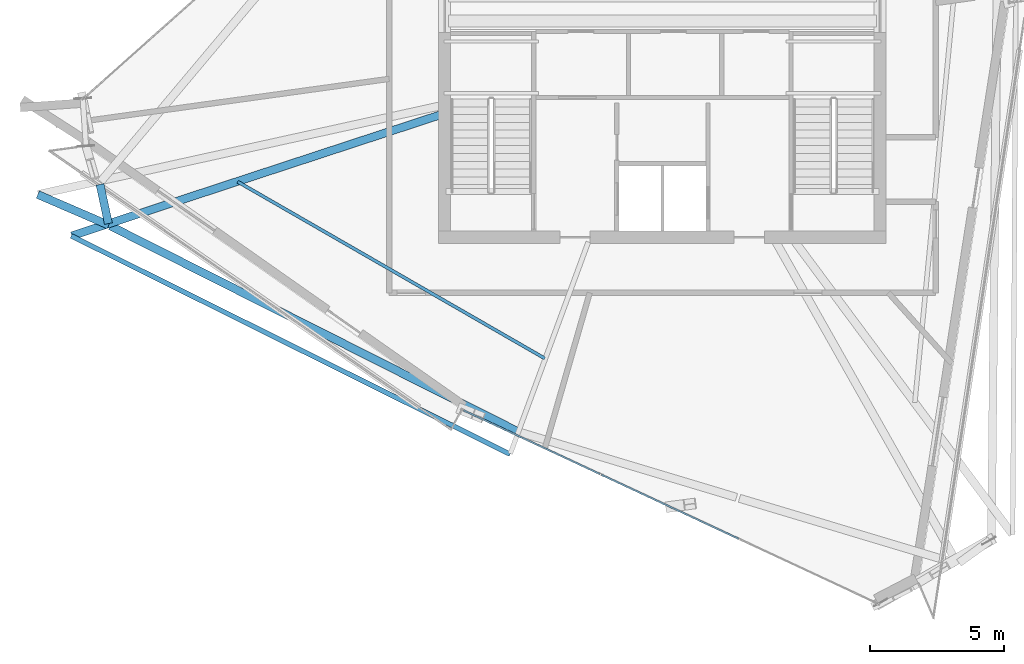
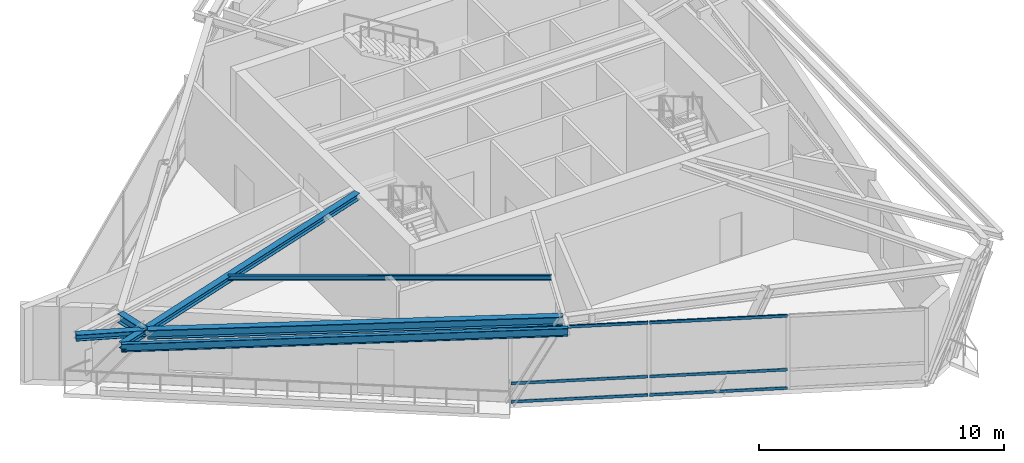
# One storey, part 3 of 22: 6 beams, 6 members, 1 element without a shape of its own.
"""IFC4 building model written with IfcOpenShell, lengths in metres."""

from ifc_helpers import new_model, si_unit, direction, frame, origin, origin_2d, place, context, subcontext, project, spatial, hollow_rectangle, i_section, extrude, source, transform, mapped, material, material_profile, profile_set, type_object, element, aggregate, save


model = new_model("IFC4")

# Units and contexts
model_context = context("Model", 3, precision=1e-05, world=origin(), true_north=direction((0.0, 1.0)))
body_context = subcontext(model_context, "Body", "Model", "MODEL_VIEW")
ifc_project = project(units=[si_unit("LENGTHUNIT", "METRE"), si_unit("AREAUNIT", "SQUARE_METRE"), si_unit("VOLUMEUNIT", "CUBIC_METRE"), si_unit("PLANEANGLEUNIT", "RADIAN"), si_unit("MASSUNIT", "GRAM", prefix="KILO")], contexts=[model_context])

# Site, building, storey
site_placement = place(None, origin())
site = spatial("IfcSite", under=ifc_project, at=site_placement, CompositionType="ELEMENT")
building_placement = place(site_placement, origin())
building = spatial("IfcBuilding", under=site, at=building_placement, Name="Olszyna Solenne Hotel", CompositionType="ELEMENT")
storey_placement = place(building_placement, frame((0.0, 0.0, 286.10009765625)))
storey = spatial("IfcBuildingStorey", under=building, at=storey_placement, Name="L76", CompositionType="ELEMENT", Elevation=286.10009765625)

# Beams
ifc_material_1 = material(Name="Steel S355J2", Category="steel")
ifc_material_profile_1 = material_profile(ifc_material_1, i_section(OverallWidth=0.300048828125, OverallDepth=0.449951171875, WebThickness=0.013916015625, FlangeThickness=0.02587890625, at=origin_2d()), Name="HEB 450", Category="load-bearing")
ifc_profile_set_1 = profile_set([ifc_material_profile_1], Name="Steel S355J2")
beam_type_1 = type_object("IfcBeamType", Name="BM-S4", PredefinedType="BEAM", material=ifc_profile_set_1)
shared_shape_1 = source(origin(), body_context, "Body", "SweptSolid", [
    extrude(i_section(OverallWidth=0.300048828125, OverallDepth=0.449951171875, WebThickness=0.013916015625, FlangeThickness=0.02587890625, at=origin_2d()), origin(), (0.0, 0.0, 1.0), 1.495361328125),
])
beam_1_placement = place(storey_placement, frame((17.011474609375, 21.24560546875, 3.89501953125), z_axis=(0.209629434519, -0.977780906023, 0.0), x_axis=(0.977780906023, 0.209629434519, 0.0)))
element("IfcBeam", 1, at=beam_1_placement, inside=storey, type_object=beam_type_1, Name="Perimeter spandrel beam BM-S4 B-L76-2228", PredefinedType="BEAM", context=body_context, shape_type="MappedRepresentation", body=[
    mapped(shared_shape_1, transform((0.0, 0.0, 0.0), x_axis=(1.0, 0.0, 0.0), y_axis=(0.0, 1.0, 0.0), z_axis=(0.0, 0.0, 1.0), scale=1.0)),
])
shared_shape_2 = source(origin(), body_context, "Body", "SweptSolid", [
    extrude(i_section(OverallWidth=0.300048828125, OverallDepth=0.449951171875, WebThickness=0.013916015625, FlangeThickness=0.02587890625, at=origin_2d()), origin(), (0.0, 0.0, 1.0), 16.99951171875),
])
beam_2_placement = place(storey_placement, frame((17.39111328125, 19.69775390625, 3.89501953125), z_axis=(0.89277818121, -0.45049652513, 0.0), x_axis=(0.45049652513, 0.89277818121, 0.0)))
element("IfcBeam", 2, at=beam_2_placement, inside=storey, type_object=beam_type_1, Name="Perimeter spandrel beam BM-S4 B-L76-2229", PredefinedType="BEAM", context=body_context, shape_type="MappedRepresentation", body=[
    mapped(shared_shape_2, transform((0.0, 0.0, 0.0), x_axis=(1.0, 0.0, 0.0), y_axis=(0.0, 1.0, 0.0), z_axis=(0.0, 0.0, 1.0), scale=1.0)),
])
ifc_material_profile_2 = material_profile(ifc_material_1, i_section(OverallWidth=0.300048828125, OverallDepth=0.31005859375, WebThickness=0.009033203125, FlangeThickness=0.015380859375, at=origin_2d()), Name="HEA 320", Category="load-bearing")
ifc_profile_set_2 = profile_set([ifc_material_profile_2], Name="Steel S355J2")
beam_type_2 = type_object("IfcBeamType", Name="BM-G3", PredefinedType="BEAM", material=ifc_profile_set_2)
shared_shape_3 = source(origin(), body_context, "Body", "SweptSolid", [
    extrude(i_section(OverallWidth=0.300048828125, OverallDepth=0.31005859375, WebThickness=0.009033203125, FlangeThickness=0.015380859375, at=origin_2d()), origin(), (0.0, 0.0, 1.0), 14.45703125),
])
beam_3_placement = place(storey_placement, frame((15.96142578125, 19.3291015625, 3.96484375), z_axis=(0.950133933691, 0.31184212039, 0.0), x_axis=(-0.31184212039, 0.950133933691, 0.0)))
element("IfcBeam", 3, at=beam_3_placement, inside=storey, type_object=beam_type_2, Name="Radial floor girder BM-G3 B-L76-2240", PredefinedType="BEAM", context=body_context, shape_type="MappedRepresentation", body=[
    mapped(shared_shape_3, transform((0.0, 0.0, 0.0), x_axis=(1.0, 0.0, 0.0), y_axis=(0.0, 1.0, 0.0), z_axis=(0.0, 0.0, 1.0), scale=1.0)),
])
shared_shape_4 = source(origin(), body_context, "Body", "SweptSolid", [
    extrude(i_section(OverallWidth=0.300048828125, OverallDepth=0.31005859375, WebThickness=0.009033203125, FlangeThickness=0.015380859375, at=origin_2d()), origin(), (0.0, 0.0, 1.0), 2.885009765625),
])
beam_4_placement = place(storey_placement, frame((17.33740234375, 19.724609375, 3.96484375), z_axis=(-0.918056053797, 0.396450604852, 0.0), x_axis=(-0.396450604852, -0.918056053797, 0.0)))
element("IfcBeam", 4, at=beam_4_placement, inside=storey, type_object=beam_type_2, Name="Prism side edge beam BM-G3 B-L76-2245", PredefinedType="BEAM", context=body_context, shape_type="MappedRepresentation", body=[
    mapped(shared_shape_4, transform((0.0, 0.0, 0.0), x_axis=(1.0, 0.0, 0.0), y_axis=(0.0, 1.0, 0.0), z_axis=(0.0, 0.0, 1.0), scale=1.0)),
])
ifc_material_profile_3 = material_profile(ifc_material_1, i_section(OverallWidth=0.1201171875, OverallDepth=0.239990234375, WebThickness=0.006103515625, FlangeThickness=0.009765625, at=origin_2d()), Name="IPE 240", Category="load-bearing")
ifc_profile_set_3 = profile_set([ifc_material_profile_3], Name="Steel S355J2")
beam_type_3 = type_object("IfcBeamType", Name="JS-03", PredefinedType="JOIST", material=ifc_profile_set_3)
shared_shape_5 = source(origin(), body_context, "Body", "SweptSolid", [
    extrude(i_section(OverallWidth=0.1201171875, OverallDepth=0.239990234375, WebThickness=0.006103515625, FlangeThickness=0.009765625, at=origin_2d()), origin(), (0.0, 0.0, 1.0), 13.223388671875),
])
beam_5_placement = place(storey_placement, frame((22.1494140625, 21.344482421875, 4.0), z_axis=(0.866795382902, -0.498663979228, 0.0), x_axis=(0.498663979228, 0.866795382902, 0.0)))
element("IfcBeam", 5, at=beam_5_placement, inside=storey, type_object=beam_type_3, Name="Secondary composite floor joist JS-03 B-L76-2247", PredefinedType="JOIST", context=body_context, shape_type="MappedRepresentation", body=[
    mapped(shared_shape_5, transform((0.0, 0.0, 0.0), x_axis=(1.0, 0.0, 0.0), y_axis=(0.0, 1.0, 0.0), z_axis=(0.0, 0.0, 1.0), scale=1.0)),
])
ifc_material_profile_4 = material_profile(ifc_material_1, i_section(OverallWidth=0.179931640625, OverallDepth=0.39990234375, WebThickness=0.008544921875, FlangeThickness=0.013427734375, at=origin_2d()), Name="IPE 400", Category="load-bearing")
ifc_profile_set_4 = profile_set([ifc_material_profile_4], Name="Steel S355J2")
beam_type_4 = type_object("IfcBeamType", Name="BM-F5", PredefinedType="BEAM", material=ifc_profile_set_4)
shared_shape_6 = source(origin(), body_context, "Body", "SweptSolid", [
    extrude(i_section(OverallWidth=0.179931640625, OverallDepth=0.39990234375, WebThickness=0.008544921875, FlangeThickness=0.013427734375, at=origin_2d()), origin(), (0.0, 0.0, 1.0), 18.2880859375),
])
beam_6_placement = place(storey_placement, frame((15.9423828125, 19.322998046875, 3.919921875), z_axis=(0.895298557832, -0.445466600705, 0.0), x_axis=(0.445466600705, 0.895298557832, 0.0)))
element("IfcBeam", 6, at=beam_6_placement, inside=storey, type_object=beam_type_4, Name="Loggia outer edge beam BM-F5 B-L76-2250", PredefinedType="BEAM", context=body_context, shape_type="MappedRepresentation", body=[
    mapped(shared_shape_6, transform((0.0, 0.0, 0.0), x_axis=(1.0, 0.0, 0.0), y_axis=(0.0, 1.0, 0.0), z_axis=(0.0, 0.0, 1.0), scale=1.0)),
])

# Curtain wall, members
ifc_material_2 = material(Name="Anodised bronze aluminium", Category="aluminium")
curtain_wall_type = type_object("IfcCurtainWallType", Name="CW-SYS-7", PredefinedType="NOTDEFINED", material=ifc_material_2)
curtain_wall_placement = place(storey_placement, origin())
curtain_wall = element("IfcCurtainWall", 7, at=curtain_wall_placement, inside=storey, type_object=curtain_wall_type, Name="Unitised curtain wall CW-SYS-7 CW-L76-01", PredefinedType="NOTDEFINED")
ifc_material_profile_5 = material_profile(ifc_material_2, hollow_rectangle(XDim=0.06494140625, YDim=0.139892578125, WallThickness=0.00390625, at=origin_2d()), Name="TRAN 140x65x4", Category="load-bearing")
ifc_profile_set_5 = profile_set([ifc_material_profile_5], Name="Anodised bronze aluminium")
member_type = type_object("IfcMemberType", Name="CW-T2", PredefinedType="USERDEFINED", material=ifc_profile_set_5)
shared_shape_7 = source(origin(), body_context, "Body", "SweptSolid", [
    extrude(hollow_rectangle(XDim=0.06494140625, YDim=0.139892578125, WallThickness=0.00390625, at=origin_2d()), origin(), (0.0, 0.0, 1.0), 5.61767578125),
])
member_1_placement = place(storey_placement, frame((30.5771484375, 12.815185546875, 0.032470703125), z_axis=(0.906075414918, -0.423116228099, 0.0), x_axis=(0.423116228099, 0.906075414918, 0.0)))
member_1 = element("IfcMember", 8, at=member_1_placement, type_object=member_type, Name="Curtain-wall transom CW-T2 CT-L76-01-01", ObjectType="TRANSOM", PredefinedType="USERDEFINED", context=body_context, shape_type="MappedRepresentation", body=[
    mapped(shared_shape_7, transform((0.0, 0.0, 0.0), x_axis=(1.0, 0.0, 0.0), y_axis=(0.0, 1.0, 0.0), z_axis=(0.0, 0.0, 1.0), scale=1.0)),
])
member_2_placement = place(storey_placement, frame((30.5771484375, 12.815185546875, 0.949951171875), z_axis=(0.906075414918, -0.423116228099, 0.0), x_axis=(0.423116228099, 0.906075414918, 0.0)))
member_2 = element("IfcMember", 9, at=member_2_placement, type_object=member_type, Name="Curtain-wall transom CW-T2 CT-L76-01-02", ObjectType="TRANSOM", PredefinedType="USERDEFINED", context=body_context, shape_type="MappedRepresentation", body=[
    mapped(shared_shape_7, transform((0.0, 0.0, 0.0), x_axis=(1.0, 0.0, 0.0), y_axis=(0.0, 1.0, 0.0), z_axis=(0.0, 0.0, 1.0), scale=1.0)),
])
member_3_placement = place(storey_placement, frame((30.5771484375, 12.815185546875, 3.62939453125), z_axis=(0.906075414918, -0.423116228099, 0.0), x_axis=(0.423116228099, 0.906075414918, 0.0)))
member_3 = element("IfcMember", 10, at=member_3_placement, type_object=member_type, Name="Curtain-wall transom CW-T2 CT-L76-01-03", ObjectType="TRANSOM", PredefinedType="USERDEFINED", context=body_context, shape_type="MappedRepresentation", body=[
    mapped(shared_shape_7, transform((0.0, 0.0, 0.0), x_axis=(1.0, 0.0, 0.0), y_axis=(0.0, 1.0, 0.0), z_axis=(0.0, 0.0, 1.0), scale=1.0)),
])
shared_shape_8 = source(origin(), body_context, "Body", "SweptSolid", [
    extrude(hollow_rectangle(XDim=0.06494140625, YDim=0.139892578125, WallThickness=0.00390625, at=origin_2d()), origin(), (0.0, 0.0, 1.0), 5.650146484375),
])
member_4_placement = place(storey_placement, frame((35.726318359375, 10.410888671875, 0.032470703125), z_axis=(0.906076031494, -0.42311490774, 0.0), x_axis=(0.42311490774, 0.906076031494, 0.0)))
member_4 = element("IfcMember", 11, at=member_4_placement, type_object=member_type, Name="Curtain-wall transom CW-T2 CT-L76-01-04", ObjectType="TRANSOM", PredefinedType="USERDEFINED", context=body_context, shape_type="MappedRepresentation", body=[
    mapped(shared_shape_8, transform((0.0, 0.0, 0.0), x_axis=(1.0, 0.0, 0.0), y_axis=(0.0, 1.0, 0.0), z_axis=(0.0, 0.0, 1.0), scale=1.0)),
])
member_5_placement = place(storey_placement, frame((35.726318359375, 10.410888671875, 0.949951171875), z_axis=(0.906076031494, -0.42311490774, 0.0), x_axis=(0.42311490774, 0.906076031494, 0.0)))
member_5 = element("IfcMember", 12, at=member_5_placement, type_object=member_type, Name="Curtain-wall transom CW-T2 CT-L76-01-05", ObjectType="TRANSOM", PredefinedType="USERDEFINED", context=body_context, shape_type="MappedRepresentation", body=[
    mapped(shared_shape_8, transform((0.0, 0.0, 0.0), x_axis=(1.0, 0.0, 0.0), y_axis=(0.0, 1.0, 0.0), z_axis=(0.0, 0.0, 1.0), scale=1.0)),
])
member_6_placement = place(storey_placement, frame((35.726318359375, 10.410888671875, 3.62939453125), z_axis=(0.906076031494, -0.42311490774, 0.0), x_axis=(0.42311490774, 0.906076031494, 0.0)))
member_6 = element("IfcMember", 13, at=member_6_placement, type_object=member_type, Name="Curtain-wall transom CW-T2 CT-L76-01-06", ObjectType="TRANSOM", PredefinedType="USERDEFINED", context=body_context, shape_type="MappedRepresentation", body=[
    mapped(shared_shape_8, transform((0.0, 0.0, 0.0), x_axis=(1.0, 0.0, 0.0), y_axis=(0.0, 1.0, 0.0), z_axis=(0.0, 0.0, 1.0), scale=1.0)),
])
aggregate(curtain_wall, [member_1, member_2, member_3, member_4, member_5, member_6])

save(model, "model.ifc")
